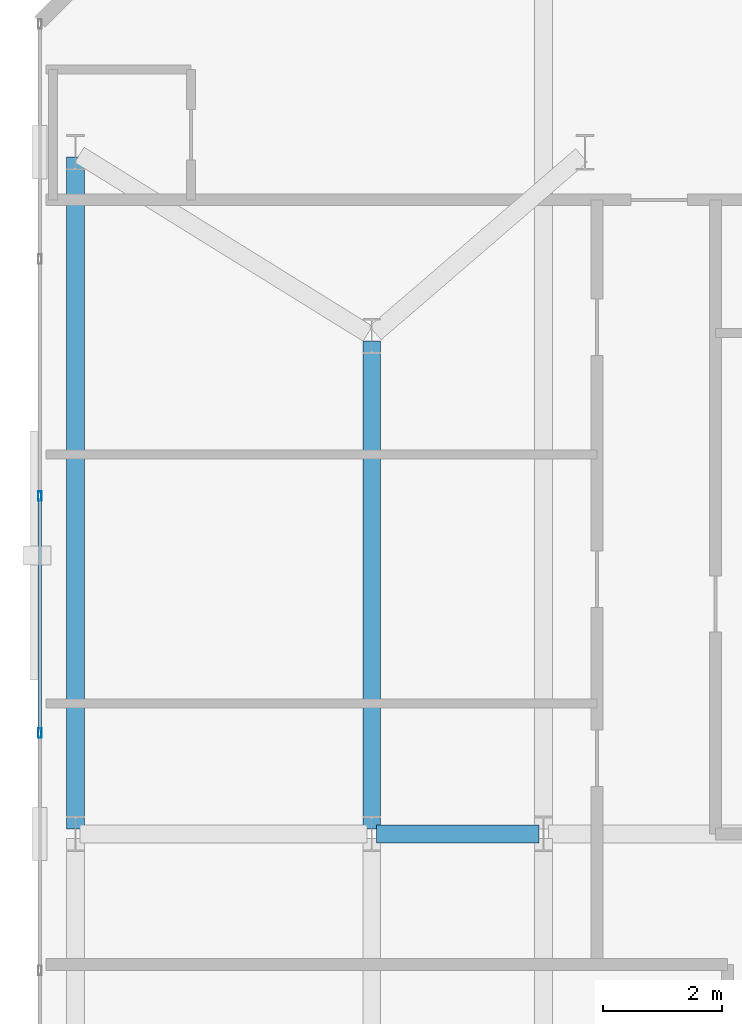
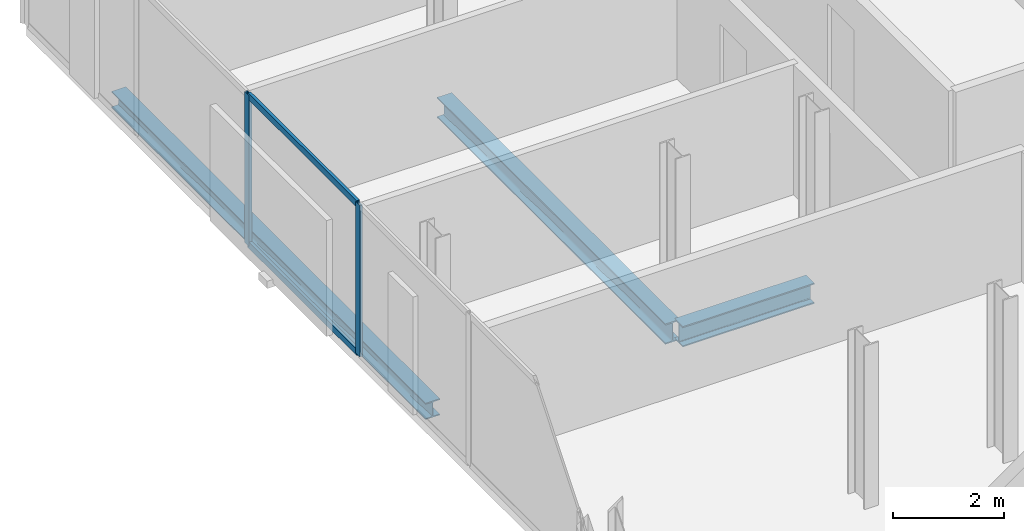
# One storey, part 11 of 33: 4 members, 3 beams, 1 element without a shape of its own.
"""IFC4 building model written with IfcOpenShell, lengths in metres."""

from ifc_helpers import new_model, si_unit, direction, frame, origin, origin_2d, place, context, subcontext, project, spatial, hollow_rectangle, i_section, extrude, material, layer, layer_set, material_profile, profile_set, type_object, element, aggregate, save


model = new_model("IFC4")

# Units and contexts
model_context = context("Model", 3, precision=1e-05, world=origin(), true_north=direction((0.0, 1.0)))
body_context = subcontext(model_context, "Body", "Model", "MODEL_VIEW")
ifc_project = project(units=[si_unit("LENGTHUNIT", "METRE"), si_unit("AREAUNIT", "SQUARE_METRE"), si_unit("VOLUMEUNIT", "CUBIC_METRE"), si_unit("PLANEANGLEUNIT", "RADIAN"), si_unit("MASSUNIT", "GRAM", prefix="KILO")], contexts=[model_context])

# Site, building, storey
site_placement = place(None, origin())
site = spatial("IfcSite", under=ifc_project, at=site_placement, CompositionType="ELEMENT")
building_placement = place(site_placement, origin())
building = spatial("IfcBuilding", under=site, at=building_placement, Name="Catumbela Crestline Tower", CompositionType="ELEMENT")
storey_placement = place(building_placement, frame((0.0, 0.0, 118.8)))
storey = spatial("IfcBuildingStorey", under=building, at=storey_placement, Name="L30", CompositionType="ELEMENT", Elevation=118.8)

# Beams
ifc_material_1 = material(Name="Structural steel S355J2", Category="steel")
ifc_material_profile_1 = material_profile(ifc_material_1, i_section(OverallWidth=0.3, OverallDepth=0.45, WebThickness=0.014, FlangeThickness=0.026, FilletRadius=0.027, at=origin_2d()), Name="HEB 450")
ifc_profile_set_1 = profile_set([ifc_material_profile_1], Name="Structural steel S355J2")
beam_type_1 = type_object("IfcBeamType", Name="BG-HEB450", PredefinedType="BEAM", material=ifc_profile_set_1)
beam_1_placement = place(storey_placement, frame((5.68, 30.8, -0.485), z_axis=(1.0, 0.0, 0.0), x_axis=(0.0, 1.0, 0.0)))
element("IfcBeam", 1, at=beam_1_placement, inside=storey, type_object=beam_type_1, Name="L30 Beam BM-L30-M08", PredefinedType="BEAM", context=body_context, shape_type="SweptSolid", body=[
    extrude(i_section(OverallWidth=0.3, OverallDepth=0.45, WebThickness=0.014, FlangeThickness=0.026, FilletRadius=0.027, at=origin_2d()), origin(), (0.0, 0.0, 1.0), 2.74),
])
beam_2_placement = place(storey_placement, frame((5.6, 30.88, -0.485), z_axis=(0.0, 1.0, 0.0), x_axis=(-1.0, 0.0, 0.0)))
element("IfcBeam", 2, at=beam_2_placement, inside=storey, type_object=beam_type_1, Name="L30 Beam BM-L30-SN25", PredefinedType="BEAM", context=body_context, shape_type="SweptSolid", body=[
    extrude(i_section(OverallWidth=0.3, OverallDepth=0.45, WebThickness=0.014, FlangeThickness=0.026, FilletRadius=0.027, at=origin_2d()), origin(), (0.0, 0.0, 1.0), 8.24),
])

# Curtain wall, members
ifc_material_2 = material(Name="Aluminium alloy AW-6060-T66", Category="aluminium")
ifc_layer = layer(ifc_material_2, 0.18, Name="Aluminium alloy AW-6060-T66")
ifc_layer_set = layer_set([ifc_layer], Name="Aluminium alloy AW-6060-T66")
curtain_wall_type = type_object("IfcCurtainWallType", Name="CWU-Z2", PredefinedType="USERDEFINED", material=ifc_layer_set)
curtain_wall_placement = place(storey_placement, origin())
curtain_wall = element("IfcCurtainWall", 3, at=curtain_wall_placement, inside=storey, type_object=curtain_wall_type, Name="L30 Unitised Curtain Wall CW-L30-E9S1", ObjectType="UNITISED", PredefinedType="USERDEFINED")
ifc_material_profile_2 = material_profile(ifc_material_2, hollow_rectangle(XDim=0.06, YDim=0.16, WallThickness=0.004, at=origin_2d()), Name="ALU 160x60x4")
ifc_profile_set_2 = profile_set([ifc_material_profile_2], Name="Aluminium alloy AW-6060-T66")
member_type_1 = type_object("IfcMemberType", Name="MUL-160X60", PredefinedType="MULLION", material=ifc_profile_set_2)
member_1_placement = place(storey_placement, frame((0.0, 36.5, 0.0), z_axis=(0.0, 0.0, 1.0), x_axis=(1.0, 0.0, 0.0)))
member_1 = element("IfcMember", 4, at=member_1_placement, type_object=member_type_1, Name="CWU-Z2 mullion 3", PredefinedType="MULLION", context=body_context, shape_type="SweptSolid", body=[
    extrude(hollow_rectangle(XDim=0.06, YDim=0.16, WallThickness=0.004, at=origin_2d()), origin(), (0.0, 0.0, 1.0), 3.33),
])
member_2_placement = place(storey_placement, frame((0.0, 32.5, 0.0), z_axis=(0.0, 0.0, 1.0), x_axis=(1.0, 0.0, 0.0)))
member_2 = element("IfcMember", 5, at=member_2_placement, type_object=member_type_1, Name="CWU-Z2 mullion 4", PredefinedType="MULLION", context=body_context, shape_type="SweptSolid", body=[
    extrude(hollow_rectangle(XDim=0.06, YDim=0.16, WallThickness=0.004, at=origin_2d()), origin(), (0.0, 0.0, 1.0), 3.33),
])

# Beam
ifc_material_profile_3 = material_profile(ifc_material_1, i_section(OverallWidth=0.3, OverallDepth=0.36, WebThickness=0.0125, FlangeThickness=0.0225, FilletRadius=0.027, at=origin_2d()), Name="HEB 360")
ifc_profile_set_3 = profile_set([ifc_material_profile_3], Name="Structural steel S355J2")
beam_type_2 = type_object("IfcBeamType", Name="BS-HEB360", PredefinedType="SPANDREL", material=ifc_profile_set_3)
beam_3_placement = place(storey_placement, frame((0.6, 30.88, -0.44), z_axis=(0.0, 1.0, 0.0), x_axis=(-1.0, 0.0, 0.0)))
element("IfcBeam", 6, at=beam_3_placement, inside=storey, type_object=beam_type_2, Name="L30 Spandrel SP-L30-SN23", PredefinedType="SPANDREL", context=body_context, shape_type="SweptSolid", body=[
    extrude(i_section(OverallWidth=0.3, OverallDepth=0.36, WebThickness=0.0125, FlangeThickness=0.0225, FilletRadius=0.027, at=origin_2d()), origin(), (0.0, 0.0, 1.0), 11.34),
])

# Member
ifc_material_profile_4 = material_profile(ifc_material_2, hollow_rectangle(XDim=0.06, YDim=0.14, WallThickness=0.004, at=origin_2d()), Name="ALU 140x60x4")
ifc_profile_set_4 = profile_set([ifc_material_profile_4], Name="Aluminium alloy AW-6060-T66")
member_type_2 = type_object("IfcMemberType", Name="TRN-140X60", PredefinedType="USERDEFINED", material=ifc_profile_set_4)
member_3_placement = place(storey_placement, frame((0.0, 36.4675, 0.03), z_axis=(0.0, -1.0, 0.0), x_axis=(1.0, 0.0, 0.0)))
member_3 = element("IfcMember", 7, at=member_3_placement, type_object=member_type_2, Name="CWU-Z2 transom 3.1", ObjectType="TRANSOM", PredefinedType="USERDEFINED", context=body_context, shape_type="SweptSolid", body=[
    extrude(hollow_rectangle(XDim=0.06, YDim=0.14, WallThickness=0.004, at=origin_2d()), origin(), (0.0, 0.0, 1.0), 3.935),
])

member_4_placement = place(storey_placement, frame((0.0, 36.4675, 3.3), z_axis=(0.0, -1.0, 0.0), x_axis=(1.0, 0.0, 0.0)))
member_4 = element("IfcMember", 8, at=member_4_placement, type_object=member_type_2, Name="CWU-Z2 transom 3.2", ObjectType="TRANSOM", PredefinedType="USERDEFINED", context=body_context, shape_type="SweptSolid", body=[
    extrude(hollow_rectangle(XDim=0.06, YDim=0.14, WallThickness=0.004, at=origin_2d()), origin(), (0.0, 0.0, 1.0), 3.935),
])

aggregate(curtain_wall, [member_1, member_2, member_3, member_4])

save(model, "model.ifc")
